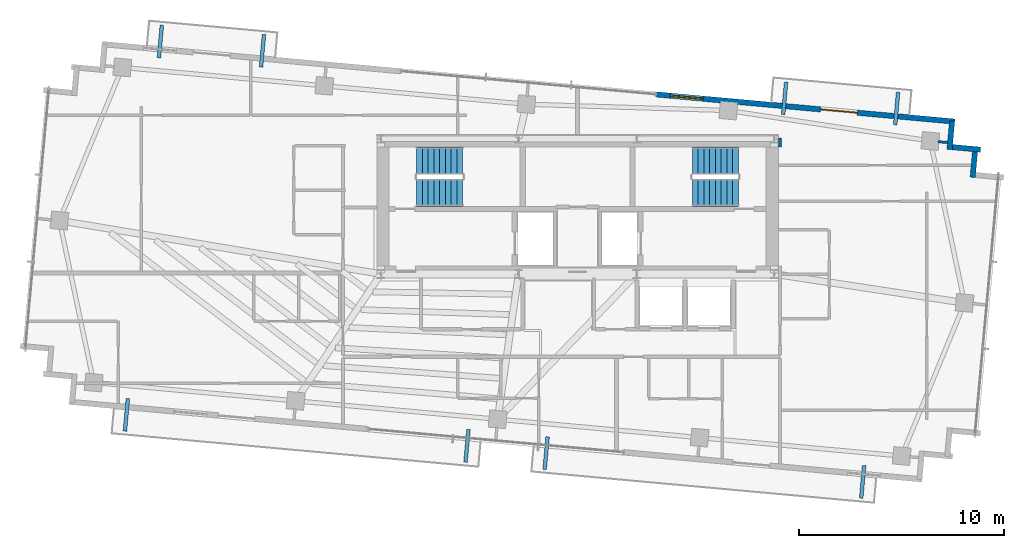
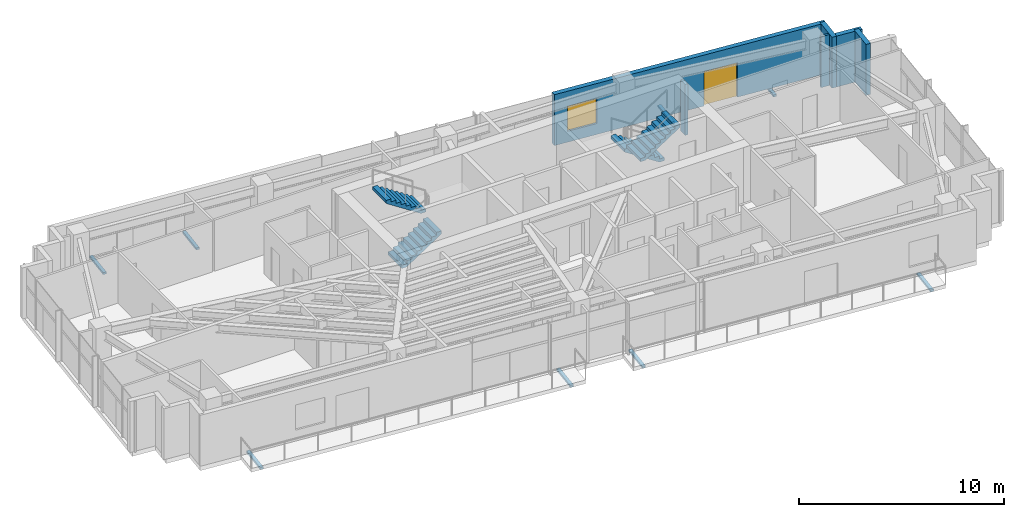
# One storey, part 19 of 22: 8 discrete accessories, 6 walls, 4 stair flights, 1 door, 1 window, 2 openings, 2 elements without a shape of their own.
"""IFC4 building model written with IfcOpenShell, lengths in metres."""

import ifcopenshell
import ifcopenshell.guid

model = None  # the IFC model being written
_history = None  # IfcOwnerHistory: only IFC2X3 demands one
_inside = {}  # id of a spatial element -> (the spatial element, [elements in it])
_under = {}  # id of a project, library or spatial element -> (it, [spatial elements below it])
_declared = {}  # id of a project -> (the project, [libraries it declares])
_typed = {}  # id of a type object -> (the type object, [elements of that type])
_made_of = {}  # id of a material, layer set ... -> (it, [elements and type objects made of it])


def new_model(schema):
    """Start an empty IFC model of exactly this schema.

    Asked for "IFC4X3", IfcOpenShell would pick the latest addendum, in which some entities
    have other attributes; the version numbers below select the first issue.
    IFC2X3 requires an IfcOwnerHistory on every rooted entity: one is made here for all.
    """
    global model, _history
    if schema == "IFC4X3":
        model = ifcopenshell.file(schema_version=(4, 3, 0, 0))
    else:
        model = ifcopenshell.file(schema=schema)
    _inside.clear()
    _under.clear()
    _declared.clear()
    _typed.clear()
    _made_of.clear()
    _history = None
    if model.schema == "IFC2X3":
        org = make("IfcOrganization", Name="unknown")
        user = make(
            "IfcPersonAndOrganization",
            ThePerson=make("IfcPerson", FamilyName="unknown"),
            TheOrganization=org,
        )
        app = make(
            "IfcApplication",
            ApplicationDeveloper=org,
            Version="unknown",
            ApplicationFullName="unknown",
            ApplicationIdentifier="unknown",
        )
        _history = make(
            "IfcOwnerHistory",
            OwningUser=user,
            OwningApplication=app,
            ChangeAction="ADDED",
            CreationDate=0,
        )
    return model


def make(cls, **values):
    """One entity of the class cls with the attributes given. An attribute that is None is left unset."""
    return model.create_entity(
        cls, **{name: value for name, value in values.items() if value is not None}
    )


def rooted(cls, **values):
    """An entity with a GlobalId (a new one), such as an element, a storey or a relation."""
    return make(cls, GlobalId=ifcopenshell.guid.new(), OwnerHistory=_history, **values)


def si_unit(unit_type, name, prefix=None):
    """IfcSIUnit, for example si_unit("LENGTHUNIT", "METRE", prefix="MILLI")."""
    return make("IfcSIUnit", UnitType=unit_type, Prefix=prefix, Name=name)


def assignment(units):
    """IfcUnitAssignment: the units of a project."""
    return None if units is None else make("IfcUnitAssignment", Units=units)


def point(xyz):
    """IfcCartesianPoint."""
    return None if xyz is None else make("IfcCartesianPoint", Coordinates=xyz)


def direction(xyz):
    """IfcDirection."""
    return None if xyz is None else make("IfcDirection", DirectionRatios=xyz)


def frame(location, z_axis=None, x_axis=None):
    """IfcAxis2Placement3D, a coordinate frame: its origin and axes. An axis left out is left unset."""
    return make(
        "IfcAxis2Placement3D",
        Location=point(location),
        Axis=direction(z_axis),
        RefDirection=direction(x_axis),
    )


def frame_2d(location, x_axis=None):
    """IfcAxis2Placement2D, a coordinate frame in the plane: its origin and x axis."""
    return make(
        "IfcAxis2Placement2D", Location=point(location), RefDirection=direction(x_axis)
    )


def origin():
    """The frame at (0, 0, 0) with its axes left unset."""
    return frame((0.0, 0.0, 0.0))


def origin_2d():
    """The frame at (0, 0) in the plane with its x axis left unset."""
    return frame_2d((0.0, 0.0))


def place(relative_to, where):
    """IfcLocalPlacement: puts the frame where relative to a parent placement (None: the world)."""
    return make(
        "IfcLocalPlacement", PlacementRelTo=relative_to, RelativePlacement=where
    )


def context(
    kind, dimensions, precision=None, world=None, true_north=None, identifier=None
):
    """IfcGeometricRepresentationContext, for example the 3D "Model" context."""
    return make(
        "IfcGeometricRepresentationContext",
        ContextIdentifier=identifier,
        ContextType=kind,
        CoordinateSpaceDimension=dimensions,
        Precision=precision,
        WorldCoordinateSystem=world,
        TrueNorth=true_north,
    )


def subcontext(parent, identifier, kind, view, scale=None):
    """IfcGeometricRepresentationSubContext, for example "Body" below "Model"."""
    return make(
        "IfcGeometricRepresentationSubContext",
        ContextIdentifier=identifier,
        ContextType=kind,
        ParentContext=parent,
        TargetScale=scale,
        TargetView=view,
    )


def project(units=None, contexts=None):
    """IfcProject with its units and contexts."""
    return rooted(
        "IfcProject",
        Name="project",
        RepresentationContexts=contexts,
        UnitsInContext=assignment(units),
    )


def spatial(cls, under=None, at=None, **own):
    """A site, building, storey or space (cls), placed at a placement, below another one or the project."""
    s = rooted(cls, ObjectPlacement=at, **own)
    if under is not None:
        _under.setdefault(under.id(), (under, []))[1].append(s)
    return s


def polyline(points):
    """IfcPolyline through the points."""
    return make("IfcPolyline", Points=[point(p) for p in points])


def profile(cls, at=None, kind="AREA", **sizes):
    """A parametric profile (cls). Its sizes go by their IFC names, for example OverallWidth=200.0."""
    return make(cls, ProfileType=kind, Position=at, **sizes)


def rectangle(**sizes):
    """IfcRectangleProfileDef."""
    return profile("IfcRectangleProfileDef", **sizes)


def outline(outer, holes=None, kind="AREA"):
    """IfcArbitraryClosedProfileDef: a profile drawn as a closed curve; with holes, ...WithVoids."""
    if holes is None:
        return make("IfcArbitraryClosedProfileDef", ProfileType=kind, OuterCurve=outer)
    return make(
        "IfcArbitraryProfileDefWithVoids",
        ProfileType=kind,
        OuterCurve=outer,
        InnerCurves=holes,
    )


def extrude(swept, where, along, depth):
    """IfcExtrudedAreaSolid: the profile swept, set in the frame where, extruded along a direction by depth."""
    return make(
        "IfcExtrudedAreaSolid",
        SweptArea=swept,
        Position=where,
        ExtrudedDirection=direction(along),
        Depth=depth,
    )


def shape(context_of_items, identifier, shape_type, items):
    """IfcShapeRepresentation: the items that make up one representation, for example the "Body"."""
    return make(
        "IfcShapeRepresentation",
        ContextOfItems=context_of_items,
        RepresentationIdentifier=identifier,
        RepresentationType=shape_type,
        Items=items,
    )


def source(mapping_origin, context_of_items, identifier, shape_type, items):
    """IfcRepresentationMap: a shape defined once, which mapped items show again and again."""
    return make(
        "IfcRepresentationMap",
        MappingOrigin=mapping_origin,
        MappedRepresentation=shape(context_of_items, identifier, shape_type, items),
    )


def transform(
    local_origin,
    x_axis=None,
    y_axis=None,
    z_axis=None,
    scale=None,
    scale2=None,
    scale3=None,
    uniform=True,
):
    """IfcCartesianTransformationOperator3D, or its non-uniform kind. x_axis, y_axis, z_axis: its Axis1, 2, 3."""
    if uniform:
        return make(
            "IfcCartesianTransformationOperator3D",
            Axis1=direction(x_axis),
            Axis2=direction(y_axis),
            LocalOrigin=point(local_origin),
            Scale=scale,
            Axis3=direction(z_axis),
        )
    return make(
        "IfcCartesianTransformationOperator3DnonUniform",
        Axis1=direction(x_axis),
        Axis2=direction(y_axis),
        LocalOrigin=point(local_origin),
        Scale=scale,
        Axis3=direction(z_axis),
        Scale2=scale2,
        Scale3=scale3,
    )


def mapped(mapping_source, mapping_target):
    """IfcMappedItem: shows the shape of a source again, moved by a transform."""
    return make(
        "IfcMappedItem", MappingSource=mapping_source, MappingTarget=mapping_target
    )


def material(Name=None, Category=None):
    """IfcMaterial."""
    return make("IfcMaterial", Name=Name, Category=Category)


def layer(
    of_material, thickness, ventilated=None, Name=None, Category=None, Priority=None
):
    """IfcMaterialLayer: one layer of a wall or slab, of a material (None: an air gap)."""
    return make(
        "IfcMaterialLayer",
        Material=of_material,
        LayerThickness=thickness,
        IsVentilated=ventilated,
        Name=Name,
        Category=Category,
        Priority=Priority,
    )


def layer_set(layers, Name=None):
    """IfcMaterialLayerSet."""
    return make("IfcMaterialLayerSet", MaterialLayers=layers, LayerSetName=Name)


def made_of(thing, what):
    """Note that an element or type object is made of a material, layer set ...; save() writes the relation."""
    if what is not None:
        _made_of.setdefault(what.id(), (what, []))[1].append(thing)
    return thing


def type_object(cls, material=None, **own):
    """A type object (cls), such as IfcWallType, which elements share."""
    return made_of(rooted(cls, **own), material)


def type_shapes(of_type, sources):
    """Give a type object the sources (RepresentationMaps) that its elements show as mapped items."""
    of_type.RepresentationMaps = sources


def element(
    cls,
    number,
    at=None,
    inside=None,
    cuts=None,
    type_object=None,
    material=None,
    context=None,
    identifier="Body",
    shape_type=None,
    held_by="IfcProductDefinitionShape",
    body=None,
    shapes=None,
    **own,
):
    """One element of the class cls, such as IfcWall. Its Tag is "e" and its number.

    at: its placement. inside: the storey or other place that contains it. cuts: it is an
    opening in that element (IfcRelVoidsElement). A single representation is given by context,
    identifier, shape_type and body (its items); several are given by shapes. held_by: the class
    of the entity that holds the representations. save() writes the other relations.
    """
    e = rooted(cls, Tag="e%d" % number, ObjectPlacement=at, **own)
    if body is not None:
        shapes = [shape(context, identifier, shape_type, body)]
    if shapes is not None:
        e.Representation = make(held_by, Representations=shapes)
    if inside is not None:
        _inside.setdefault(inside.id(), (inside, []))[1].append(e)
    if cuts is not None:
        rooted(
            "IfcRelVoidsElement", RelatingBuildingElement=cuts, RelatedOpeningElement=e
        )
    if type_object is not None:
        _typed.setdefault(type_object.id(), (type_object, []))[1].append(e)
    return made_of(e, material)


def fill(opening, filler):
    """IfcRelFillsElement: the door or window that sits in an opening."""
    return rooted(
        "IfcRelFillsElement",
        RelatingOpeningElement=opening,
        RelatedBuildingElement=filler,
    )


def aggregate(whole, parts):
    """IfcRelAggregates: a whole, such as a stair, and the parts it consists of."""
    return rooted("IfcRelAggregates", RelatingObject=whole, RelatedObjects=parts)


def save(model, path):
    """Write the relations noted so far, then the file.

    IfcRelAggregates (storeys below a building ...), IfcRelContainedInSpatialStructure (elements
    in a storey), IfcRelDefinesByType, IfcRelAssociatesMaterial and IfcRelDeclares: one each for
    every whole, place, type object, material and project.
    """
    for whole, parts in _under.values():
        aggregate(whole, parts)
    for where, things in _inside.values():
        rooted(
            "IfcRelContainedInSpatialStructure",
            RelatedElements=things,
            RelatingStructure=where,
        )
    for kind, things in _typed.values():
        rooted("IfcRelDefinesByType", RelatedObjects=things, RelatingType=kind)
    for what, things in _made_of.values():
        rooted("IfcRelAssociatesMaterial", RelatedObjects=things, RelatingMaterial=what)
    for by, libraries in _declared.values():
        rooted("IfcRelDeclares", RelatingContext=by, RelatedDefinitions=libraries)
    model.write(path)


model = new_model("IFC4")

# Units and contexts
model_context = context("Model", 3, precision=1e-05, world=origin(), true_north=direction((0.0, 1.0)))
body_context = subcontext(model_context, "Body", "Model", "MODEL_VIEW")
ifc_project = project(units=[si_unit("LENGTHUNIT", "METRE"), si_unit("AREAUNIT", "SQUARE_METRE"), si_unit("VOLUMEUNIT", "CUBIC_METRE"), si_unit("PLANEANGLEUNIT", "RADIAN"), si_unit("MASSUNIT", "GRAM", prefix="KILO")], contexts=[model_context])

# Site, building, storey
site_placement = place(None, origin())
site = spatial("IfcSite", under=ifc_project, at=site_placement, CompositionType="ELEMENT")
building_placement = place(site_placement, origin())
building = spatial("IfcBuilding", under=site, at=building_placement, Name="Astriad Promenade Condominiums", CompositionType="ELEMENT")
storey_placement = place(building_placement, frame((0.0, 0.0, 229.800048828125)))
storey = spatial("IfcBuildingStorey", under=building, at=storey_placement, Name="L66", CompositionType="ELEMENT", Elevation=229.800048828125)

# Wall
ifc_material_1 = material(Name="Fire-Rated Gypsum Partition")
ifc_layer_1 = layer(ifc_material_1, 0.159912109375)
ifc_layer_set_1 = layer_set([ifc_layer_1], Name="Fire-Rated Gypsum Partition")
wall_type_1 = type_object("IfcWallType", Name="WALL-CORR-160", PredefinedType="PARTITIONING", material=ifc_layer_set_1)
wall_1_placement = place(storey_placement, frame((45.8798828125, 23.597900390625, 0.0), z_axis=(0.0, 0.0, 1.0), x_axis=(0.0, 1.0, 0.0)))
element("IfcWall", 1, at=wall_1_placement, inside=storey, type_object=wall_type_1, Name="PT-COR-E-L66-S3", PredefinedType="PARTITIONING", context=body_context, shape_type="SweptSolid", body=[
    extrude(rectangle(XDim=0.4521484375, YDim=0.159912109375, at=frame_2d((0.22607421875, 0.0))), origin(), (0.0, 0.0, 1.0), 3.0400390625),
])

# Wall, openings, door, window
ifc_material_2 = material(Name="Precast concrete C50/60", Category="concrete")
ifc_layer_2 = layer(ifc_material_2, 0.260009765625)
ifc_layer_set_2 = layer_set([ifc_layer_2], Name="Precast concrete C50/60")
wall_type_2 = type_object("IfcWallType", Name="WALL-EXT-TWR-260", PredefinedType="STANDARD", material=ifc_layer_set_2)
wall_2_placement = place(storey_placement, frame((39.839111328125, 26.16552734375, 0.0), z_axis=(0.0, 0.0, 1.0), x_axis=(0.995884447498, -0.090632043071, 0.0)))
wall_2 = element("IfcWall", 2, at=wall_2_placement, inside=storey, type_object=wall_type_2, Name="W-EXT-L66-N2", PredefinedType="STANDARD", context=body_context, shape_type="SweptSolid", body=[
    extrude(rectangle(XDim=14.6298828125, YDim=0.260009765625, at=frame_2d((7.31494140625, 0.0))), origin(), (0.0, 0.0, 1.0), 3.0400390625),
])
opening_1_placement = place(wall_2_placement, frame((8.050048828125, 0.0, 0.0)))
opening_1 = element("IfcOpeningElement", 3, at=opening_1_placement, cuts=wall_2, Name="Opening BD-1822-SLD", PredefinedType="OPENING", context=body_context, shape_type="SweptSolid", body=[
    extrude(rectangle(XDim=1.800048828125, YDim=2.06005859375, at=frame_2d((0.89990234375, 1.030029296875))), frame((0.0, 0.139892578125, 0.0), z_axis=(0.0, -1.0, 0.0), x_axis=(1.0, 0.0, 0.0)), (0.0, 0.0, 1.0), 0.280029296875),
])
opening_2_placement = place(wall_2_placement, frame((0.699951171875, 0.0, 0.64990234375)))
opening_2 = element("IfcOpeningElement", 4, at=opening_2_placement, cuts=wall_2, Name="Opening WIN-TWR-1620", PredefinedType="OPENING", context=body_context, shape_type="SweptSolid", body=[
    extrude(rectangle(XDim=1.60009765625, YDim=1.5, at=frame_2d((0.800048828125, 0.75))), frame((0.0, 0.139892578125, 0.0), z_axis=(0.0, -1.0, 0.0), x_axis=(1.0, 0.0, 0.0)), (0.0, 0.0, 1.0), 0.280029296875),
])
ifc_material_3 = material(Name="Thermally Broken Aluminium Sliding Balcony Door", Category="aluminium")
door_type = type_object("IfcDoorType", Name="BD-1822-SLD", OperationType="NOTDEFINED", PredefinedType="DOOR", material=ifc_material_3)
shared_shape_1 = source(origin(), body_context, "Body", "SweptSolid", [
    extrude(rectangle(XDim=1.800048828125, YDim=2.06005859375, at=frame_2d((0.89990234375, 1.030029296875))), frame((0.0, 0.02490234375, 0.0), z_axis=(0.0, -1.0, 0.0), x_axis=(1.0, 0.0, 0.0)), (0.0, 0.0, 1.0), 0.050048828125),
])
type_shapes(door_type, [shared_shape_1])
door_placement = place(opening_1_placement, origin())
door = element("IfcDoor", 5, at=door_placement, inside=storey, type_object=door_type, Name="BD-L66-NE", OperationType="SLIDING_TO_RIGHT", OverallHeight=2.06005859375, OverallWidth=1.800048828125, PredefinedType="DOOR", context=body_context, shape_type="MappedRepresentation", body=[
    mapped(shared_shape_1, transform((0.0, 0.0, 0.0), scale=1.0)),
])
fill(opening_1, door)
ifc_material_4 = material(Name="Dark Tinted Triple-Glazed Aluminium Window", Category="aluminium")
window_type = type_object("IfcWindowType", Name="WIN-TWR-1620", PartitioningType="SINGLE_PANEL", PredefinedType="WINDOW", material=ifc_material_4)
shared_shape_2 = source(origin(), body_context, "Body", "SweptSolid", [
    extrude(rectangle(XDim=1.60009765625, YDim=1.5, at=frame_2d((0.800048828125, 0.75))), frame((0.0, 0.030029296875, 0.0), z_axis=(0.0, -1.0, 0.0), x_axis=(1.0, 0.0, 0.0)), (0.0, 0.0, 1.0), 0.06005859375),
])
type_shapes(window_type, [shared_shape_2])
window_placement = place(opening_2_placement, origin())
window = element("IfcWindow", 6, at=window_placement, inside=storey, type_object=window_type, Name="WIN-L66-NE", OverallHeight=1.5, OverallWidth=1.60009765625, PartitioningType="SINGLE_PANEL", PredefinedType="WINDOW", context=body_context, shape_type="MappedRepresentation", body=[
    mapped(shared_shape_2, transform((0.0, 0.0, 0.0), scale=1.0)),
])
fill(opening_2, window)

# Walls
wall_3_placement = place(storey_placement, frame((54.28076171875, 24.866455078125, 0.0), z_axis=(0.0, 0.0, 1.0), x_axis=(-0.090661991521, -0.995881721538, 0.0)))
element("IfcWall", 7, at=wall_3_placement, inside=storey, type_object=wall_type_2, Name="W-SER-L66-09", PredefinedType="STANDARD", context=body_context, shape_type="SweptSolid", body=[
    extrude(rectangle(XDim=1.39501953125, YDim=0.260009765625, at=frame_2d((0.697509765625, 0.0))), origin(), (0.0, 0.0, 1.0), 3.0400390625),
])
for number, where, z_axis, x_axis, name in (
    (8, (54.280517578125, 23.59619140625, 0.0), (0.0, 0.0, 1.0), (0.995883159782, -0.090646191665, 0.0), "W-SER-L66-10"),
    (9, (55.412353515625, 23.50830078125, 0.0), (0.0, 0.0, 1.0), (-0.090646191665, -0.995883159782, 0.0), "W-SER-L66-11"),
):
    element("IfcWall", number, at=place(storey_placement, frame(where, z_axis=z_axis, x_axis=x_axis)), inside=storey, type_object=wall_type_2, Name=name, PredefinedType="STANDARD", context=body_context, shape_type="SweptSolid", body=[
        extrude(rectangle(XDim=1.395263671875, YDim=0.260009765625, at=frame_2d((0.69775390625, 0.0))), origin(), (0.0, 0.0, 1.0), 3.0400390625),
    ])
ifc_material_5 = material(Name="Acoustic Metal-Stud Gypsum Partition")
ifc_layer_3 = layer(ifc_material_5, 0.1201171875)
ifc_layer_set_3 = layer_set([ifc_layer_3], Name="Acoustic Metal-Stud Gypsum Partition")
wall_type_3 = type_object("IfcWallType", Name="WALL-PART-120", PredefinedType="PARTITIONING", material=ifc_layer_set_3)
wall_4_placement = place(storey_placement, frame((53.5966796875, 23.859375, 0.0), z_axis=(0.0, 0.0, 1.0), x_axis=(0.995884462012, -0.090631883588, 0.0)))
element("IfcWall", 10, at=wall_4_placement, inside=storey, type_object=wall_type_3, Name="PT-PIL-L66-PC10-17", PredefinedType="PARTITIONING", context=body_context, shape_type="SweptSolid", body=[
    extrude(rectangle(XDim=0.4580078125, YDim=0.1201171875, at=frame_2d((0.22900390625, 0.0))), origin(), (0.0, 0.0, 1.0), 3.0400390625),
])

# Stair, stair flights
ifc_material_6 = material(Name="Concrete C50/60", Category="concrete")
stair_type = type_object("IfcStairType", Name="STR-CORE-1350", PredefinedType="HALF_TURN_STAIR", material=ifc_material_6)
stair_1_placement = place(storey_placement, origin())
stair_1 = element("IfcStair", 11, at=stair_1_placement, inside=storey, type_object=stair_type, Name="L66 Enclosed Core Exit Stair ST-1", PredefinedType="HALF_TURN_STAIR")
stair_flight_type = type_object("IfcStairFlightType", Name="SFL-CORE-1350", PredefinedType="STRAIGHT", material=ifc_material_6)
shared_shape_3 = source(origin(), body_context, "Body", "SweptSolid", [
    extrude(outline(polyline([(0.0, 0.0), (0.0, 0.183349609375), (0.280029296875, 0.183349609375), (0.280029296875, 0.36669921875), (0.56005859375, 0.36669921875), (0.56005859375, 0.550048828125), (0.840087890625, 0.550048828125), (0.840087890625, 0.7333984375), (1.1201171875, 0.7333984375), (1.1201171875, 0.916748046875), (1.39990234375, 0.916748046875), (1.39990234375, 1.10009765625), (1.679931640625, 1.10009765625), (1.679931640625, 1.283447265625), (1.9599609375, 1.283447265625), (1.9599609375, 1.466552734375), (2.239990234375, 1.466552734375), (2.239990234375, 1.64990234375), (2.239990234375, 1.28759765625), (0.273681640625, 0.0), (0.0, 0.0)])), frame((0.0, 0.675048828125, 0.0), z_axis=(0.0, -1.0, 0.0), x_axis=(1.0, 0.0, 0.0)), (0.0, 0.0, 1.0), 1.35009765625),
])
type_shapes(stair_flight_type, [shared_shape_3])
stair_flight_1_placement = place(storey_placement, frame((28.14990234375, 21.375, 0.0), z_axis=(0.0, 0.0, 1.0), x_axis=(1.0, 0.0, 0.0)))
stair_flight_1 = element("IfcStairFlight", 12, at=stair_flight_1_placement, type_object=stair_flight_type, Name="ST-1 flight 1", NumberOfRisers=9, NumberOfTreads=8, PredefinedType="STRAIGHT", RiserHeight=0.183333333, TreadLength=0.28, context=body_context, shape_type="MappedRepresentation", body=[
    mapped(shared_shape_3, transform((0.0, 0.0, 0.0), scale=1.0)),
])
stair_flight_2_placement = place(storey_placement, frame((30.389892578125, 22.925048828125, 1.64990234375), z_axis=(0.0, 0.0, 1.0), x_axis=(-1.0, 0.0, 0.0)))
stair_flight_2 = element("IfcStairFlight", 13, at=stair_flight_2_placement, type_object=stair_flight_type, Name="ST-1 flight 2", NumberOfRisers=9, NumberOfTreads=8, PredefinedType="STRAIGHT", RiserHeight=0.183333333, TreadLength=0.28, context=body_context, shape_type="MappedRepresentation", body=[
    mapped(shared_shape_3, transform((0.0, 0.0, 0.0), scale=1.0)),
])
aggregate(stair_1, [stair_flight_1, stair_flight_2])

stair_2_placement = place(storey_placement, origin())
stair_2 = element("IfcStair", 14, at=stair_2_placement, inside=storey, type_object=stair_type, Name="L66 Enclosed Core Exit Stair ST-2", PredefinedType="HALF_TURN_STAIR")
stair_flight_3_placement = place(storey_placement, frame((43.85009765625, 22.925048828125, 0.0), z_axis=(0.0, 0.0, 1.0), x_axis=(-1.0, 0.0, 0.0)))
stair_flight_3 = element("IfcStairFlight", 15, at=stair_flight_3_placement, type_object=stair_flight_type, Name="ST-2 flight 1", NumberOfRisers=9, NumberOfTreads=8, PredefinedType="STRAIGHT", RiserHeight=0.183333333, TreadLength=0.28, context=body_context, shape_type="MappedRepresentation", body=[
    mapped(shared_shape_3, transform((0.0, 0.0, 0.0), scale=1.0)),
])
stair_flight_4_placement = place(storey_placement, frame((41.610107421875, 21.375, 1.64990234375), z_axis=(0.0, 0.0, 1.0), x_axis=(1.0, 0.0, 0.0)))
stair_flight_4 = element("IfcStairFlight", 16, at=stair_flight_4_placement, type_object=stair_flight_type, Name="ST-2 flight 2", NumberOfRisers=9, NumberOfTreads=8, PredefinedType="STRAIGHT", RiserHeight=0.183333333, TreadLength=0.28, context=body_context, shape_type="MappedRepresentation", body=[
    mapped(shared_shape_3, transform((0.0, 0.0, 0.0), scale=1.0)),
])
aggregate(stair_2, [stair_flight_3, stair_flight_4])

# Discrete accessories
ifc_material_7 = material(Name="Steel ASTM A572 Grade 50", Category="steel")
discrete_accessory_type = type_object("IfcDiscreteAccessoryType", Name="STEEL BALCONY OUTRIGGER BRACKET", PredefinedType="BRACKET", material=ifc_material_7)
shared_shape_4 = source(origin(), body_context, "Body", "SweptSolid", [
    extrude(rectangle(XDim=1.60009765625, YDim=0.179931640625, at=origin_2d()), origin(), (0.0, 0.0, 1.0), 0.1220703125),
])
type_shapes(discrete_accessory_type, [shared_shape_4])
for number, where, z_axis, x_axis, name in (
    (17, (13.97998046875, 10.52490234375, -0.340087890625), (0.0, 0.0, 1.0), (-0.090632580198, -0.995884398616, 0.0), "Balcony Outrigger Bracket BAL-L66-SW-A"),
    (18, (30.6044921875, 9.011962890625, -0.340087890625), (0.0, 0.0, 1.0), (-0.090632580198, -0.995884398616, 0.0), "Balcony Outrigger Bracket BAL-L66-SW-B"),
    (19, (34.46630859375, 8.660400390625, -0.340087890625), (0.0, 0.0, 1.0), (-0.090632580198, -0.995884398616, 0.0), "Balcony Outrigger Bracket BAL-L66-SE-A"),
    (20, (49.91552734375, 7.25439453125, -0.340087890625), (0.0, 0.0, 1.0), (-0.090632580198, -0.995884398616, 0.0), "Balcony Outrigger Bracket BAL-L66-SE-B"),
    (21, (15.638671875, 28.74951171875, -0.340087890625), (0.0, 0.0, 1.0), (0.090632580198, 0.995884398616, 0.0), "Balcony Outrigger Bracket BAL-L66-NW-A"),
    (22, (20.623046875, 28.2958984375, -0.340087890625), (0.0, 0.0, 1.0), (0.090632580198, 0.995884398616, 0.0), "Balcony Outrigger Bracket BAL-L66-NW-B"),
    (23, (46.107666015625, 25.976806640625, -0.340087890625), (0.0, 0.0, 1.0), (0.090632580198, 0.995884398616, 0.0), "Balcony Outrigger Bracket BAL-L66-NE-A"),
    (24, (51.57421875, 25.479248046875, -0.340087890625), (0.0, 0.0, 1.0), (0.090632580198, 0.995884398616, 0.0), "Balcony Outrigger Bracket BAL-L66-NE-B"),
):
    element("IfcDiscreteAccessory", number, at=place(storey_placement, frame(where, z_axis=z_axis, x_axis=x_axis)), inside=storey, type_object=discrete_accessory_type, Name=name, PredefinedType="BRACKET", context=body_context, shape_type="MappedRepresentation", body=[
        mapped(shared_shape_4, transform((0.0, 0.0, 0.0), scale=1.0)),
    ])

save(model, "model.ifc")
